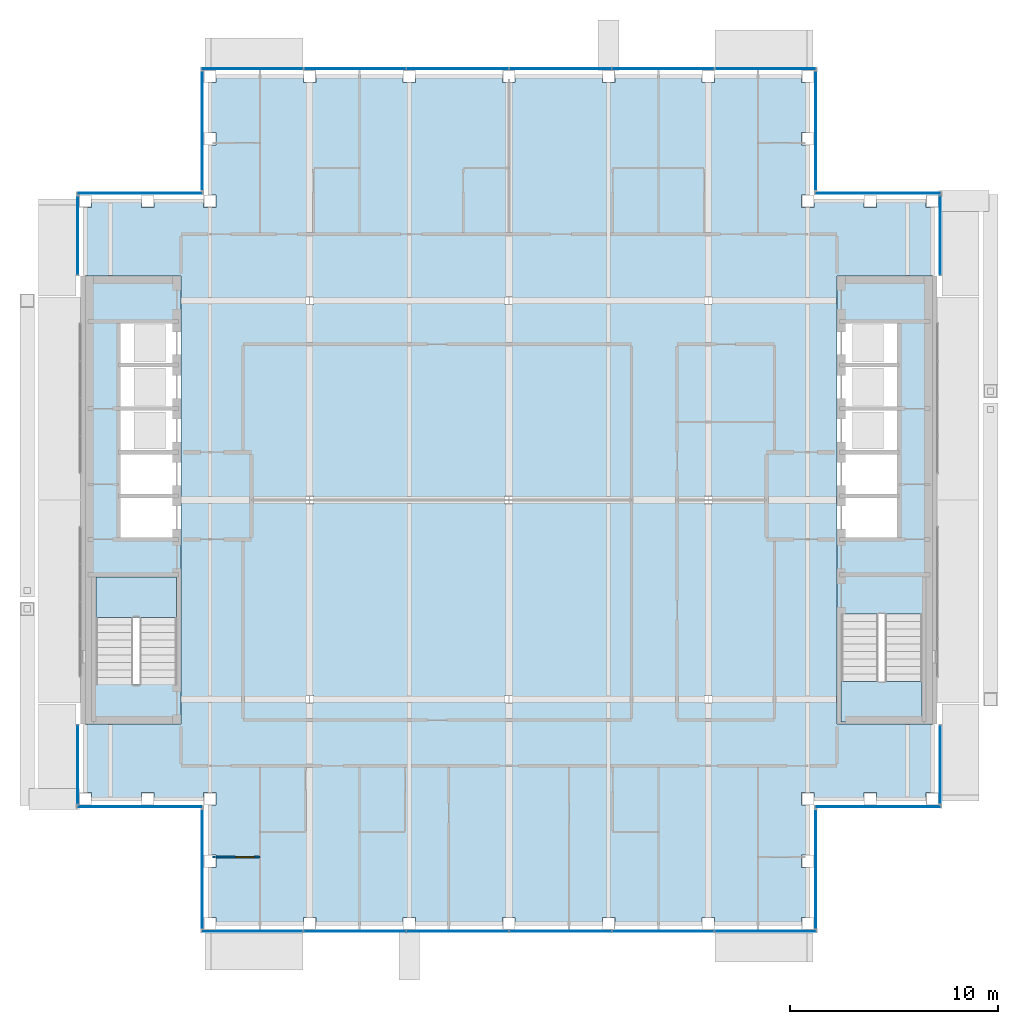
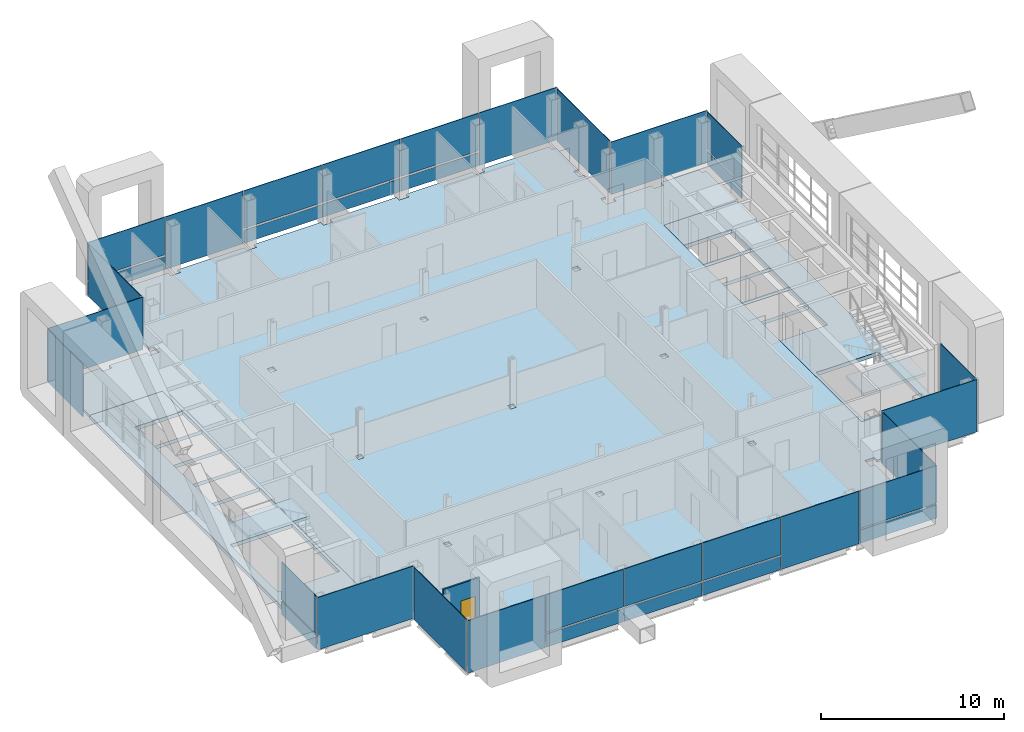
# One storey, part 11 of 23: 34 plates, 5 slabs, 1 door, 1 wall, 1 opening, 16 elements without a shape of their own.
"""IFC4 building model written with IfcOpenShell, lengths in metres."""

from ifc_helpers import new_model, si_unit, direction, frame, frame_2d, origin, origin_2d, place, context, subcontext, project, spatial, polyline, rectangle, outline, extrude, material, layer, layer_set, type_object, element, fill, aggregate, save


model = new_model("IFC4")

# Units and contexts
model_context = context("Model", 3, precision=1e-05, world=origin(), true_north=direction((0.0, 1.0)))
body_context = subcontext(model_context, "Body", "Model", "MODEL_VIEW")
ifc_project = project(units=[si_unit("LENGTHUNIT", "METRE"), si_unit("AREAUNIT", "SQUARE_METRE"), si_unit("VOLUMEUNIT", "CUBIC_METRE"), si_unit("PLANEANGLEUNIT", "RADIAN"), si_unit("MASSUNIT", "GRAM", prefix="KILO")], contexts=[model_context])

# Site, building, storey
site_placement = place(None, origin())
site = spatial("IfcSite", under=ifc_project, at=site_placement, CompositionType="ELEMENT")
building_placement = place(site_placement, origin())
building = spatial("IfcBuilding", under=site, at=building_placement, Name="Cobrizo Arcos Hotel Tower", CompositionType="ELEMENT")
storey_placement = place(building_placement, frame((0.0, 0.0, 262.0)))
storey = spatial("IfcBuildingStorey", under=building, at=storey_placement, Name="L69", CompositionType="ELEMENT", Elevation=262.0)

# Curtain wall, plates
ifc_material_1 = material(Name="Aluminium 6063-T6 anodised bronze", Category="aluminium")
curtain_wall_type = type_object("IfcCurtainWallType", Name="CW-A guest facade", PredefinedType="NOTDEFINED", material=ifc_material_1)
curtain_wall_1_placement = place(storey_placement, origin())
curtain_wall_1 = element("IfcCurtainWall", 1, at=curtain_wall_1_placement, inside=storey, type_object=curtain_wall_type, Name="CW-A L69 S face", PredefinedType="NOTDEFINED")
ifc_material_2 = material(Name="Glass clear laminated low-e", Category="glass")
ifc_layer_1 = layer(ifc_material_2, 0.0400390625)
ifc_layer_set_1 = layer_set([ifc_layer_1], Name="CW-A glass panel")
plate_type_1 = type_object("IfcPlateType", Name="CW-A glass panel", PredefinedType="CURTAIN_PANEL", material=ifc_layer_set_1)
plate_1_placement = place(storey_placement, frame((-7.425048828125, -20.77490234375, 0.990234375), z_axis=(0.0, 0.0, 1.0), x_axis=(1.0, 0.0, 0.0)))
plate_1 = element("IfcPlate", 2, at=plate_1_placement, type_object=plate_type_1, Name="CW-A glass panel 2157", PredefinedType="CURTAIN_PANEL", context=body_context, shape_type="SweptSolid", body=[
    extrude(rectangle(XDim=4.889892578125, YDim=0.0400390625, at=origin_2d()), origin(), (0.0, 0.0, 1.0), 2.510009765625),
])
plate_2_placement = place(storey_placement, frame((-2.47509765625, -20.77490234375, 0.990234375), z_axis=(0.0, 0.0, 1.0), x_axis=(1.0, 0.0, 0.0)))
plate_2 = element("IfcPlate", 3, at=plate_2_placement, type_object=plate_type_1, Name="CW-A glass panel 2158", PredefinedType="CURTAIN_PANEL", context=body_context, shape_type="SweptSolid", body=[
    extrude(rectangle(XDim=4.889892578125, YDim=0.0400390625, at=origin_2d()), origin(), (0.0, 0.0, 1.0), 2.510009765625),
])
plate_3_placement = place(storey_placement, frame((2.47509765625, -20.77490234375, 0.990234375), z_axis=(0.0, 0.0, 1.0), x_axis=(1.0, 0.0, 0.0)))
plate_3 = element("IfcPlate", 4, at=plate_3_placement, type_object=plate_type_1, Name="CW-A glass panel 2159", PredefinedType="CURTAIN_PANEL", context=body_context, shape_type="SweptSolid", body=[
    extrude(rectangle(XDim=4.889892578125, YDim=0.0400390625, at=origin_2d()), origin(), (0.0, 0.0, 1.0), 2.510009765625),
])
plate_4_placement = place(storey_placement, frame((12.360107421875, -20.77490234375, 0.990234375), z_axis=(0.0, 0.0, 1.0), x_axis=(1.0, 0.0, 0.0)))
plate_4 = element("IfcPlate", 5, at=plate_4_placement, type_object=plate_type_1, Name="CW-A glass panel 2161", PredefinedType="CURTAIN_PANEL", context=body_context, shape_type="SweptSolid", body=[
    extrude(rectangle(XDim=4.860107421875, YDim=0.0400390625, at=origin_2d()), origin(), (0.0, 0.0, 1.0), 2.510009765625),
])

# Curtain wall, plate
curtain_wall_2_placement = place(storey_placement, origin())
curtain_wall_2 = element("IfcCurtainWall", 6, at=curtain_wall_2_placement, inside=storey, type_object=curtain_wall_type, Name="CW-A L69 E face", PredefinedType="NOTDEFINED")
plate_5_placement = place(storey_placement, frame((20.77490234375, 12.75, 0.990234375), z_axis=(0.0, 0.0, 1.0), x_axis=(0.0, 1.0, 0.0)))
plate_5 = element("IfcPlate", 7, at=plate_5_placement, type_object=plate_type_1, Name="CW-A glass panel 2165", PredefinedType="CURTAIN_PANEL", context=body_context, shape_type="SweptSolid", body=[
    extrude(rectangle(XDim=3.780029296875, YDim=0.0400390625, at=origin_2d()), origin(), (0.0, 0.0, 1.0), 2.510009765625),
])

# Curtain wall, plates
curtain_wall_3_placement = place(storey_placement, origin())
curtain_wall_3 = element("IfcCurtainWall", 8, at=curtain_wall_3_placement, inside=storey, type_object=curtain_wall_type, Name="CW-A L69 N face", PredefinedType="NOTDEFINED")
plate_6_placement = place(storey_placement, frame((7.425048828125, 20.77490234375, 0.990234375), z_axis=(0.0, 0.0, 1.0), x_axis=(-1.0, 0.0, 0.0)))
plate_6 = element("IfcPlate", 9, at=plate_6_placement, type_object=plate_type_1, Name="CW-A glass panel 2169", PredefinedType="CURTAIN_PANEL", context=body_context, shape_type="SweptSolid", body=[
    extrude(rectangle(XDim=4.889892578125, YDim=0.0400390625, at=origin_2d()), origin(), (0.0, 0.0, 1.0), 2.510009765625),
])
plate_7_placement = place(storey_placement, frame((2.47509765625, 20.77490234375, 0.990234375), z_axis=(0.0, 0.0, 1.0), x_axis=(-1.0, 0.0, 0.0)))
plate_7 = element("IfcPlate", 10, at=plate_7_placement, type_object=plate_type_1, Name="CW-A glass panel 2170", PredefinedType="CURTAIN_PANEL", context=body_context, shape_type="SweptSolid", body=[
    extrude(rectangle(XDim=4.889892578125, YDim=0.0400390625, at=origin_2d()), origin(), (0.0, 0.0, 1.0), 2.510009765625),
])
plate_8_placement = place(storey_placement, frame((-2.47509765625, 20.77490234375, 0.990234375), z_axis=(0.0, 0.0, 1.0), x_axis=(-1.0, 0.0, 0.0)))
plate_8 = element("IfcPlate", 11, at=plate_8_placement, type_object=plate_type_1, Name="CW-A glass panel 2171", PredefinedType="CURTAIN_PANEL", context=body_context, shape_type="SweptSolid", body=[
    extrude(rectangle(XDim=4.889892578125, YDim=0.0400390625, at=origin_2d()), origin(), (0.0, 0.0, 1.0), 2.510009765625),
])
plate_9_placement = place(storey_placement, frame((-12.360107421875, 20.77490234375, 0.990234375), z_axis=(0.0, 0.0, 1.0), x_axis=(-1.0, 0.0, 0.0)))
plate_9 = element("IfcPlate", 12, at=plate_9_placement, type_object=plate_type_1, Name="CW-A glass panel 2173", PredefinedType="CURTAIN_PANEL", context=body_context, shape_type="SweptSolid", body=[
    extrude(rectangle(XDim=4.860107421875, YDim=0.0400390625, at=origin_2d()), origin(), (0.0, 0.0, 1.0), 2.510009765625),
])

# Curtain wall, plate
curtain_wall_4_placement = place(storey_placement, origin())
curtain_wall_4 = element("IfcCurtainWall", 13, at=curtain_wall_4_placement, inside=storey, type_object=curtain_wall_type, Name="CW-A L69 W face", PredefinedType="NOTDEFINED")
plate_10_placement = place(storey_placement, frame((-20.77490234375, -12.75, 0.990234375), z_axis=(0.0, 0.0, 1.0), x_axis=(0.0, -1.0, 0.0)))
plate_10 = element("IfcPlate", 14, at=plate_10_placement, type_object=plate_type_1, Name="CW-A glass panel 2177", PredefinedType="CURTAIN_PANEL", context=body_context, shape_type="SweptSolid", body=[
    extrude(rectangle(XDim=3.780029296875, YDim=0.0400390625, at=origin_2d()), origin(), (0.0, 0.0, 1.0), 2.510009765625),
])

# Plate
ifc_material_3 = material(Name="Aluminium composite panel pale metal", Category="aluminium")
ifc_layer_2 = layer(ifc_material_3, 0.0400390625)
ifc_layer_set_2 = layer_set([ifc_layer_2], Name="CW-A spandrel panel")
plate_type_2 = type_object("IfcPlateType", Name="CW-A spandrel panel", PredefinedType="CURTAIN_PANEL", material=ifc_layer_set_2)
plate_11_placement = place(storey_placement, frame((-12.360107421875, -20.77490234375, 0.0), z_axis=(0.0, 0.0, 1.0), x_axis=(1.0, 0.0, 0.0)))
plate_11 = element("IfcPlate", 15, at=plate_11_placement, type_object=plate_type_2, Name="CW-A spandrel panel 2156", PredefinedType="CURTAIN_PANEL", context=body_context, shape_type="SweptSolid", body=[
    extrude(rectangle(XDim=4.860107421875, YDim=0.0400390625, at=origin_2d()), origin(), (0.0, 0.0, 1.0), 3.5),
])

plate_12_placement = place(storey_placement, frame((-7.425048828125, -20.77490234375, 0.0), z_axis=(0.0, 0.0, 1.0), x_axis=(1.0, 0.0, 0.0)))
plate_12 = element("IfcPlate", 16, at=plate_12_placement, type_object=plate_type_2, Name="CW-A spandrel panel 2157", PredefinedType="CURTAIN_PANEL", context=body_context, shape_type="SweptSolid", body=[
    extrude(rectangle(XDim=4.889892578125, YDim=0.0400390625, at=origin_2d()), origin(), (0.0, 0.0, 1.0), 0.8701171875),
])

plate_13_placement = place(storey_placement, frame((-2.47509765625, -20.77490234375, 0.0), z_axis=(0.0, 0.0, 1.0), x_axis=(1.0, 0.0, 0.0)))
plate_13 = element("IfcPlate", 17, at=plate_13_placement, type_object=plate_type_2, Name="CW-A spandrel panel 2158", PredefinedType="CURTAIN_PANEL", context=body_context, shape_type="SweptSolid", body=[
    extrude(rectangle(XDim=4.889892578125, YDim=0.0400390625, at=origin_2d()), origin(), (0.0, 0.0, 1.0), 0.8701171875),
])

plate_14_placement = place(storey_placement, frame((2.47509765625, -20.77490234375, 0.0), z_axis=(0.0, 0.0, 1.0), x_axis=(1.0, 0.0, 0.0)))
plate_14 = element("IfcPlate", 18, at=plate_14_placement, type_object=plate_type_2, Name="CW-A spandrel panel 2159", PredefinedType="CURTAIN_PANEL", context=body_context, shape_type="SweptSolid", body=[
    extrude(rectangle(XDim=4.889892578125, YDim=0.0400390625, at=origin_2d()), origin(), (0.0, 0.0, 1.0), 0.8701171875),
])

plate_15_placement = place(storey_placement, frame((7.425048828125, -20.77490234375, 0.0), z_axis=(0.0, 0.0, 1.0), x_axis=(1.0, 0.0, 0.0)))
plate_15 = element("IfcPlate", 19, at=plate_15_placement, type_object=plate_type_2, Name="CW-A spandrel panel 2160", PredefinedType="CURTAIN_PANEL", context=body_context, shape_type="SweptSolid", body=[
    extrude(rectangle(XDim=4.889892578125, YDim=0.0400390625, at=origin_2d()), origin(), (0.0, 0.0, 1.0), 3.5),
])

plate_16_placement = place(storey_placement, frame((12.360107421875, -20.77490234375, 0.0), z_axis=(0.0, 0.0, 1.0), x_axis=(1.0, 0.0, 0.0)))
plate_16 = element("IfcPlate", 20, at=plate_16_placement, type_object=plate_type_2, Name="CW-A spandrel panel 2161", PredefinedType="CURTAIN_PANEL", context=body_context, shape_type="SweptSolid", body=[
    extrude(rectangle(XDim=4.860107421875, YDim=0.0400390625, at=origin_2d()), origin(), (0.0, 0.0, 1.0), 0.8701171875),
])

aggregate(curtain_wall_1, [plate_11, plate_12, plate_1, plate_13, plate_2, plate_14, plate_3, plate_15, plate_16, plate_4])

# Curtain wall, plate
curtain_wall_5_placement = place(storey_placement, origin())
curtain_wall_5 = element("IfcCurtainWall", 21, at=curtain_wall_5_placement, inside=storey, type_object=curtain_wall_type, Name="CW-A L69 E face", PredefinedType="NOTDEFINED")
plate_17_placement = place(storey_placement, frame((14.77490234375, -17.77490234375, 0.0), z_axis=(0.0, 0.0, 1.0), x_axis=(0.0, 1.0, 0.0)))
plate_17 = element("IfcPlate", 22, at=plate_17_placement, type_object=plate_type_2, Name="CW-A spandrel panel 2162", PredefinedType="CURTAIN_PANEL", context=body_context, shape_type="SweptSolid", body=[
    extrude(rectangle(XDim=5.72998046875, YDim=0.0400390625, at=origin_2d()), origin(), (0.0, 0.0, 1.0), 3.5),
])
aggregate(curtain_wall_5, [plate_17])

curtain_wall_6_placement = place(storey_placement, origin())
curtain_wall_6 = element("IfcCurtainWall", 23, at=curtain_wall_6_placement, inside=storey, type_object=curtain_wall_type, Name="CW-A L69 S face", PredefinedType="NOTDEFINED")
plate_18_placement = place(storey_placement, frame((17.77490234375, -14.77490234375, 0.0), z_axis=(0.0, 0.0, 1.0), x_axis=(1.0, 0.0, 0.0)))
plate_18 = element("IfcPlate", 24, at=plate_18_placement, type_object=plate_type_2, Name="CW-A spandrel panel 2163", PredefinedType="CURTAIN_PANEL", context=body_context, shape_type="SweptSolid", body=[
    extrude(rectangle(XDim=6.030029296875, YDim=0.0400390625, at=origin_2d()), origin(), (0.0, 0.0, 1.0), 3.5),
])
aggregate(curtain_wall_6, [plate_18])

curtain_wall_7_placement = place(storey_placement, origin())
curtain_wall_7 = element("IfcCurtainWall", 25, at=curtain_wall_7_placement, inside=storey, type_object=curtain_wall_type, Name="CW-A L69 E face", PredefinedType="NOTDEFINED")
plate_19_placement = place(storey_placement, frame((20.77490234375, -12.75, 0.0), z_axis=(0.0, 0.0, 1.0), x_axis=(0.0, 1.0, 0.0)))
plate_19 = element("IfcPlate", 26, at=plate_19_placement, type_object=plate_type_2, Name="CW-A spandrel panel 2164", PredefinedType="CURTAIN_PANEL", context=body_context, shape_type="SweptSolid", body=[
    extrude(rectangle(XDim=3.780029296875, YDim=0.0400390625, at=origin_2d()), origin(), (0.0, 0.0, 1.0), 3.5),
])
aggregate(curtain_wall_7, [plate_19])

# Plate
plate_20_placement = place(storey_placement, frame((20.77490234375, 12.75, 0.0), z_axis=(0.0, 0.0, 1.0), x_axis=(0.0, 1.0, 0.0)))
plate_20 = element("IfcPlate", 27, at=plate_20_placement, type_object=plate_type_2, Name="CW-A spandrel panel 2165", PredefinedType="CURTAIN_PANEL", context=body_context, shape_type="SweptSolid", body=[
    extrude(rectangle(XDim=3.780029296875, YDim=0.0400390625, at=origin_2d()), origin(), (0.0, 0.0, 1.0), 0.8701171875),
])

aggregate(curtain_wall_2, [plate_20, plate_5])

# Curtain wall, plate
curtain_wall_8_placement = place(storey_placement, origin())
curtain_wall_8 = element("IfcCurtainWall", 28, at=curtain_wall_8_placement, inside=storey, type_object=curtain_wall_type, Name="CW-A L69 N face", PredefinedType="NOTDEFINED")
plate_21_placement = place(storey_placement, frame((17.77490234375, 14.77490234375, 0.0), z_axis=(0.0, 0.0, 1.0), x_axis=(-1.0, 0.0, 0.0)))
plate_21 = element("IfcPlate", 29, at=plate_21_placement, type_object=plate_type_2, Name="CW-A spandrel panel 2166", PredefinedType="CURTAIN_PANEL", context=body_context, shape_type="SweptSolid", body=[
    extrude(rectangle(XDim=6.030029296875, YDim=0.0400390625, at=origin_2d()), origin(), (0.0, 0.0, 1.0), 3.5),
])
aggregate(curtain_wall_8, [plate_21])

curtain_wall_9_placement = place(storey_placement, origin())
curtain_wall_9 = element("IfcCurtainWall", 30, at=curtain_wall_9_placement, inside=storey, type_object=curtain_wall_type, Name="CW-A L69 E face", PredefinedType="NOTDEFINED")
plate_22_placement = place(storey_placement, frame((14.77490234375, 17.77490234375, 0.0), z_axis=(0.0, 0.0, 1.0), x_axis=(0.0, 1.0, 0.0)))
plate_22 = element("IfcPlate", 31, at=plate_22_placement, type_object=plate_type_2, Name="CW-A spandrel panel 2167", PredefinedType="CURTAIN_PANEL", context=body_context, shape_type="SweptSolid", body=[
    extrude(rectangle(XDim=5.72998046875, YDim=0.0400390625, at=origin_2d()), origin(), (0.0, 0.0, 1.0), 3.5),
])
aggregate(curtain_wall_9, [plate_22])

# Plate
plate_23_placement = place(storey_placement, frame((12.360107421875, 20.77490234375, 0.0), z_axis=(0.0, 0.0, 1.0), x_axis=(-1.0, 0.0, 0.0)))
plate_23 = element("IfcPlate", 32, at=plate_23_placement, type_object=plate_type_2, Name="CW-A spandrel panel 2168", PredefinedType="CURTAIN_PANEL", context=body_context, shape_type="SweptSolid", body=[
    extrude(rectangle(XDim=4.860107421875, YDim=0.0400390625, at=origin_2d()), origin(), (0.0, 0.0, 1.0), 3.5),
])

plate_24_placement = place(storey_placement, frame((7.425048828125, 20.77490234375, 0.0), z_axis=(0.0, 0.0, 1.0), x_axis=(-1.0, 0.0, 0.0)))
plate_24 = element("IfcPlate", 33, at=plate_24_placement, type_object=plate_type_2, Name="CW-A spandrel panel 2169", PredefinedType="CURTAIN_PANEL", context=body_context, shape_type="SweptSolid", body=[
    extrude(rectangle(XDim=4.889892578125, YDim=0.0400390625, at=origin_2d()), origin(), (0.0, 0.0, 1.0), 0.8701171875),
])

plate_25_placement = place(storey_placement, frame((2.47509765625, 20.77490234375, 0.0), z_axis=(0.0, 0.0, 1.0), x_axis=(-1.0, 0.0, 0.0)))
plate_25 = element("IfcPlate", 34, at=plate_25_placement, type_object=plate_type_2, Name="CW-A spandrel panel 2170", PredefinedType="CURTAIN_PANEL", context=body_context, shape_type="SweptSolid", body=[
    extrude(rectangle(XDim=4.889892578125, YDim=0.0400390625, at=origin_2d()), origin(), (0.0, 0.0, 1.0), 0.8701171875),
])

plate_26_placement = place(storey_placement, frame((-2.47509765625, 20.77490234375, 0.0), z_axis=(0.0, 0.0, 1.0), x_axis=(-1.0, 0.0, 0.0)))
plate_26 = element("IfcPlate", 35, at=plate_26_placement, type_object=plate_type_2, Name="CW-A spandrel panel 2171", PredefinedType="CURTAIN_PANEL", context=body_context, shape_type="SweptSolid", body=[
    extrude(rectangle(XDim=4.889892578125, YDim=0.0400390625, at=origin_2d()), origin(), (0.0, 0.0, 1.0), 0.8701171875),
])

plate_27_placement = place(storey_placement, frame((-7.425048828125, 20.77490234375, 0.0), z_axis=(0.0, 0.0, 1.0), x_axis=(-1.0, 0.0, 0.0)))
plate_27 = element("IfcPlate", 36, at=plate_27_placement, type_object=plate_type_2, Name="CW-A spandrel panel 2172", PredefinedType="CURTAIN_PANEL", context=body_context, shape_type="SweptSolid", body=[
    extrude(rectangle(XDim=4.889892578125, YDim=0.0400390625, at=origin_2d()), origin(), (0.0, 0.0, 1.0), 3.5),
])

plate_28_placement = place(storey_placement, frame((-12.360107421875, 20.77490234375, 0.0), z_axis=(0.0, 0.0, 1.0), x_axis=(-1.0, 0.0, 0.0)))
plate_28 = element("IfcPlate", 37, at=plate_28_placement, type_object=plate_type_2, Name="CW-A spandrel panel 2173", PredefinedType="CURTAIN_PANEL", context=body_context, shape_type="SweptSolid", body=[
    extrude(rectangle(XDim=4.860107421875, YDim=0.0400390625, at=origin_2d()), origin(), (0.0, 0.0, 1.0), 0.8701171875),
])

aggregate(curtain_wall_3, [plate_23, plate_24, plate_6, plate_25, plate_7, plate_26, plate_8, plate_27, plate_28, plate_9])

# Curtain wall, plate
curtain_wall_10_placement = place(storey_placement, origin())
curtain_wall_10 = element("IfcCurtainWall", 38, at=curtain_wall_10_placement, inside=storey, type_object=curtain_wall_type, Name="CW-A L69 W face", PredefinedType="NOTDEFINED")
plate_29_placement = place(storey_placement, frame((-14.77490234375, 17.77490234375, 0.0), z_axis=(0.0, 0.0, 1.0), x_axis=(0.0, -1.0, 0.0)))
plate_29 = element("IfcPlate", 39, at=plate_29_placement, type_object=plate_type_2, Name="CW-A spandrel panel 2174", PredefinedType="CURTAIN_PANEL", context=body_context, shape_type="SweptSolid", body=[
    extrude(rectangle(XDim=5.72998046875, YDim=0.0400390625, at=origin_2d()), origin(), (0.0, 0.0, 1.0), 3.5),
])
aggregate(curtain_wall_10, [plate_29])

curtain_wall_11_placement = place(storey_placement, origin())
curtain_wall_11 = element("IfcCurtainWall", 40, at=curtain_wall_11_placement, inside=storey, type_object=curtain_wall_type, Name="CW-A L69 N face", PredefinedType="NOTDEFINED")
plate_30_placement = place(storey_placement, frame((-17.77490234375, 14.77490234375, 0.0), z_axis=(0.0, 0.0, 1.0), x_axis=(-1.0, 0.0, 0.0)))
plate_30 = element("IfcPlate", 41, at=plate_30_placement, type_object=plate_type_2, Name="CW-A spandrel panel 2175", PredefinedType="CURTAIN_PANEL", context=body_context, shape_type="SweptSolid", body=[
    extrude(rectangle(XDim=6.030029296875, YDim=0.0400390625, at=origin_2d()), origin(), (0.0, 0.0, 1.0), 3.5),
])
aggregate(curtain_wall_11, [plate_30])

curtain_wall_12_placement = place(storey_placement, origin())
curtain_wall_12 = element("IfcCurtainWall", 42, at=curtain_wall_12_placement, inside=storey, type_object=curtain_wall_type, Name="CW-A L69 W face", PredefinedType="NOTDEFINED")
plate_31_placement = place(storey_placement, frame((-20.77490234375, 12.75, 0.0), z_axis=(0.0, 0.0, 1.0), x_axis=(0.0, -1.0, 0.0)))
plate_31 = element("IfcPlate", 43, at=plate_31_placement, type_object=plate_type_2, Name="CW-A spandrel panel 2176", PredefinedType="CURTAIN_PANEL", context=body_context, shape_type="SweptSolid", body=[
    extrude(rectangle(XDim=3.780029296875, YDim=0.0400390625, at=origin_2d()), origin(), (0.0, 0.0, 1.0), 3.5),
])
aggregate(curtain_wall_12, [plate_31])

# Plate
plate_32_placement = place(storey_placement, frame((-20.77490234375, -12.75, 0.0), z_axis=(0.0, 0.0, 1.0), x_axis=(0.0, -1.0, 0.0)))
plate_32 = element("IfcPlate", 44, at=plate_32_placement, type_object=plate_type_2, Name="CW-A spandrel panel 2177", PredefinedType="CURTAIN_PANEL", context=body_context, shape_type="SweptSolid", body=[
    extrude(rectangle(XDim=3.780029296875, YDim=0.0400390625, at=origin_2d()), origin(), (0.0, 0.0, 1.0), 0.8701171875),
])

aggregate(curtain_wall_4, [plate_32, plate_10])

# Curtain wall, plate
curtain_wall_13_placement = place(storey_placement, origin())
curtain_wall_13 = element("IfcCurtainWall", 45, at=curtain_wall_13_placement, inside=storey, type_object=curtain_wall_type, Name="CW-A L69 S face", PredefinedType="NOTDEFINED")
plate_33_placement = place(storey_placement, frame((-17.77490234375, -14.77490234375, 0.0), z_axis=(0.0, 0.0, 1.0), x_axis=(1.0, 0.0, 0.0)))
plate_33 = element("IfcPlate", 46, at=plate_33_placement, type_object=plate_type_2, Name="CW-A spandrel panel 2178", PredefinedType="CURTAIN_PANEL", context=body_context, shape_type="SweptSolid", body=[
    extrude(rectangle(XDim=6.030029296875, YDim=0.0400390625, at=origin_2d()), origin(), (0.0, 0.0, 1.0), 3.5),
])
aggregate(curtain_wall_13, [plate_33])

curtain_wall_14_placement = place(storey_placement, origin())
curtain_wall_14 = element("IfcCurtainWall", 47, at=curtain_wall_14_placement, inside=storey, type_object=curtain_wall_type, Name="CW-A L69 W face", PredefinedType="NOTDEFINED")
plate_34_placement = place(storey_placement, frame((-14.77490234375, -17.77490234375, 0.0), z_axis=(0.0, 0.0, 1.0), x_axis=(0.0, -1.0, 0.0)))
plate_34 = element("IfcPlate", 48, at=plate_34_placement, type_object=plate_type_2, Name="CW-A spandrel panel 2179", PredefinedType="CURTAIN_PANEL", context=body_context, shape_type="SweptSolid", body=[
    extrude(rectangle(XDim=5.72998046875, YDim=0.0400390625, at=origin_2d()), origin(), (0.0, 0.0, 1.0), 3.5),
])
aggregate(curtain_wall_14, [plate_34])

# Slabs
ifc_material_4 = material(Name="Concrete f'c 35 MPa", Category="concrete")
ifc_layer_3 = layer(ifc_material_4, 0.14990234375)
ifc_layer_set_3 = layer_set([ifc_layer_3], Name="Composite floor slab 150 f'c 35")
slab_type_1 = type_object("IfcSlabType", Name="Composite floor slab 150 f'c 35", PredefinedType="FLOOR", material=ifc_layer_set_3)
slab_1_placement = place(storey_placement, frame((0.0, 0.0, -0.14990234375)))
element("IfcSlab", 49, at=slab_1_placement, inside=storey, type_object=slab_type_1, Name="Floor slab S5, L69, no. 01", PredefinedType="FLOOR", context=body_context, shape_type="SweptSolid", body=[
    extrude(outline(polyline([(-14.10009765625, -20.39990234375), (-14.10009765625, -20.10009765625), (-14.39990234375, -20.10009765625), (-14.39990234375, -17.699951171875), (-14.10009765625, -17.699951171875), (-14.10009765625, -17.10009765625), (-14.39990234375, -17.10009765625), (-14.39990234375, -14.699951171875), (-14.10009765625, -14.699951171875), (-14.10009765625, -14.10009765625), (-14.699951171875, -14.10009765625), (-14.699951171875, -14.39990234375), (-17.10009765625, -14.39990234375), (-17.10009765625, -14.10009765625), (-17.699951171875, -14.10009765625), (-17.699951171875, -14.39990234375), (-20.10009765625, -14.39990234375), (-20.10009765625, -14.10009765625), (-20.39990234375, -14.10009765625), (-20.39990234375, -10.800048828125), (-15.800048828125, -10.800048828125), (-15.800048828125, 10.800048828125), (-20.39990234375, 10.800048828125), (-20.39990234375, 14.10009765625), (-20.10009765625, 14.10009765625), (-20.10009765625, 14.39990234375), (-17.699951171875, 14.39990234375), (-17.699951171875, 14.10009765625), (-17.10009765625, 14.10009765625), (-17.10009765625, 14.39990234375), (-14.699951171875, 14.39990234375), (-14.699951171875, 14.10009765625), (-14.10009765625, 14.10009765625), (-14.10009765625, 14.699951171875), (-14.39990234375, 14.699951171875), (-14.39990234375, 17.10009765625), (-14.10009765625, 17.10009765625), (-14.10009765625, 17.699951171875), (-14.39990234375, 17.699951171875), (-14.39990234375, 20.10009765625), (-14.10009765625, 20.10009765625), (-14.10009765625, 20.39990234375), (-9.89990234375, 20.39990234375), (-9.89990234375, 20.10009765625), (-9.300048828125, 20.10009765625), (-9.300048828125, 20.39990234375), (-5.10009765625, 20.39990234375), (-5.10009765625, 20.10009765625), (-4.5, 20.10009765625), (-4.5, 20.39990234375), (-0.300048828125, 20.39990234375), (-0.300048828125, 20.10009765625), (0.300048828125, 20.10009765625), (0.300048828125, 20.39990234375), (4.5, 20.39990234375), (4.5, 20.10009765625), (5.10009765625, 20.10009765625), (5.10009765625, 20.39990234375), (9.300048828125, 20.39990234375), (9.300048828125, 20.10009765625), (9.89990234375, 20.10009765625), (9.89990234375, 20.39990234375), (14.10009765625, 20.39990234375), (14.10009765625, 20.10009765625), (14.39990234375, 20.10009765625), (14.39990234375, 17.699951171875), (14.10009765625, 17.699951171875), (14.10009765625, 17.10009765625), (14.39990234375, 17.10009765625), (14.39990234375, 14.699951171875), (14.10009765625, 14.699951171875), (14.10009765625, 14.10009765625), (14.699951171875, 14.10009765625), (14.699951171875, 14.39990234375), (17.10009765625, 14.39990234375), (17.10009765625, 14.10009765625), (17.699951171875, 14.10009765625), (17.699951171875, 14.39990234375), (20.10009765625, 14.39990234375), (20.10009765625, 14.10009765625), (20.39990234375, 14.10009765625), (20.39990234375, 10.800048828125), (15.800048828125, 10.800048828125), (15.800048828125, -10.800048828125), (20.39990234375, -10.800048828125), (20.39990234375, -14.10009765625), (20.10009765625, -14.10009765625), (20.10009765625, -14.39990234375), (17.699951171875, -14.39990234375), (17.699951171875, -14.10009765625), (17.10009765625, -14.10009765625), (17.10009765625, -14.39990234375), (14.699951171875, -14.39990234375), (14.699951171875, -14.10009765625), (14.10009765625, -14.10009765625), (14.10009765625, -14.699951171875), (14.39990234375, -14.699951171875), (14.39990234375, -17.10009765625), (14.10009765625, -17.10009765625), (14.10009765625, -17.699951171875), (14.39990234375, -17.699951171875), (14.39990234375, -20.10009765625), (14.10009765625, -20.10009765625), (14.10009765625, -20.39990234375), (9.89990234375, -20.39990234375), (9.89990234375, -20.10009765625), (9.300048828125, -20.10009765625), (9.300048828125, -20.39990234375), (5.10009765625, -20.39990234375), (5.10009765625, -20.10009765625), (4.5, -20.10009765625), (4.5, -20.39990234375), (0.300048828125, -20.39990234375), (0.300048828125, -20.10009765625), (-0.300048828125, -20.10009765625), (-0.300048828125, -20.39990234375), (-4.5, -20.39990234375), (-4.5, -20.10009765625), (-5.10009765625, -20.10009765625), (-5.10009765625, -20.39990234375), (-9.300048828125, -20.39990234375), (-9.300048828125, -20.10009765625), (-9.89990234375, -20.10009765625), (-9.89990234375, -20.39990234375), (-14.10009765625, -20.39990234375)]), holes=[polyline([(-9.415771484375, -9.7841796875), (-9.415771484375, -9.415771484375), (-9.7841796875, -9.415771484375), (-9.7841796875, -9.7841796875), (-9.415771484375, -9.7841796875)]), polyline([(-9.415771484375, -0.18408203125), (-9.415771484375, 0.18408203125), (-9.7841796875, 0.18408203125), (-9.7841796875, -0.18408203125), (-9.415771484375, -0.18408203125)]), polyline([(-9.7841796875, 9.415771484375), (-9.415771484375, 9.415771484375), (-9.415771484375, 9.7841796875), (-9.7841796875, 9.7841796875), (-9.7841796875, 9.415771484375)]), polyline([(-0.18408203125, -9.7841796875), (0.18408203125, -9.7841796875), (0.18408203125, -9.415771484375), (-0.18408203125, -9.415771484375), (-0.18408203125, -9.7841796875)]), polyline([(9.415771484375, -9.7841796875), (9.7841796875, -9.7841796875), (9.7841796875, -9.415771484375), (9.415771484375, -9.415771484375), (9.415771484375, -9.7841796875)]), polyline([(0.18408203125, -0.18408203125), (0.18408203125, 0.18408203125), (-0.18408203125, 0.18408203125), (-0.18408203125, -0.18408203125), (0.18408203125, -0.18408203125)]), polyline([(9.7841796875, -0.18408203125), (9.7841796875, 0.18408203125), (9.415771484375, 0.18408203125), (9.415771484375, -0.18408203125), (9.7841796875, -0.18408203125)]), polyline([(0.18408203125, 9.415771484375), (0.18408203125, 9.7841796875), (-0.18408203125, 9.7841796875), (-0.18408203125, 9.415771484375), (0.18408203125, 9.415771484375)]), polyline([(9.415771484375, 9.415771484375), (9.7841796875, 9.415771484375), (9.7841796875, 9.7841796875), (9.415771484375, 9.7841796875), (9.415771484375, 9.415771484375)])]), origin(), (0.0, 0.0, 1.0), 0.14990234375),
])
ifc_material_5 = material(Name="Concrete f'c 40 MPa", Category="concrete")
ifc_layer_4 = layer(ifc_material_5, 0.25)
ifc_layer_set_4 = layer_set([ifc_layer_4], Name="RC core floor slab 250 f'c 40")
slab_type_2 = type_object("IfcSlabType", Name="RC core floor slab 250 f'c 40", PredefinedType="FLOOR", material=ifc_layer_set_4)
slab_2_placement = place(storey_placement, frame((0.0, 0.0, -0.25)))
element("IfcSlab", 50, at=slab_2_placement, inside=storey, type_object=slab_type_2, Name="Core floor slab CS7, east core, L69", PredefinedType="FLOOR", context=body_context, shape_type="SweptSolid", body=[
    extrude(outline(polyline([(15.800048828125, 10.800048828125), (20.39990234375, 10.800048828125), (20.39990234375, -10.800048828125), (15.800048828125, -10.800048828125), (15.800048828125, 10.800048828125)]), holes=[polyline([(19.89794921875, -10.697998046875), (19.89794921875, -5.501953125), (16.001953125, -5.501953125), (16.001953125, -10.697998046875), (19.89794921875, -10.697998046875)]), polyline([(15.802001953125, 0.197998046875), (15.802001953125, -1.89794921875), (18.798095703125, -1.89794921875), (18.798095703125, 0.197998046875), (15.802001953125, 0.197998046875)]), polyline([(15.802001953125, 2.298095703125), (15.802001953125, 0.201904296875), (18.798095703125, 0.201904296875), (18.798095703125, 2.298095703125), (15.802001953125, 2.298095703125)]), polyline([(15.802001953125, 4.39794921875), (15.802001953125, 2.302001953125), (18.798095703125, 2.302001953125), (18.798095703125, 4.39794921875), (15.802001953125, 4.39794921875)]), polyline([(18.798095703125, 6.498046875), (15.802001953125, 6.498046875), (15.802001953125, 4.402099609375), (18.798095703125, 4.402099609375), (18.798095703125, 6.498046875)]), polyline([(18.798095703125, 8.597900390625), (15.802001953125, 8.597900390625), (15.802001953125, 6.501953125), (18.798095703125, 6.501953125), (18.798095703125, 8.597900390625)])]), origin(), (0.0, 0.0, 1.0), 0.25),
])
slab_3_placement = place(storey_placement, frame((0.0, 0.0, -0.25)))
element("IfcSlab", 51, at=slab_3_placement, inside=storey, type_object=slab_type_2, Name="Core floor slab CS7, west core, L69", PredefinedType="FLOOR", context=body_context, shape_type="SweptSolid", body=[
    extrude(outline(polyline([(-20.39990234375, 10.800048828125), (-15.800048828125, 10.800048828125), (-15.800048828125, -10.800048828125), (-20.39990234375, -10.800048828125), (-20.39990234375, 10.800048828125)]), holes=[polyline([(-19.89794921875, -3.701904296875), (-19.89794921875, -8.89794921875), (-16.001953125, -8.89794921875), (-16.001953125, -3.701904296875), (-19.89794921875, -3.701904296875)]), polyline([(-18.798095703125, 0.197998046875), (-18.798095703125, -1.89794921875), (-15.802001953125, -1.89794921875), (-15.802001953125, 0.197998046875), (-18.798095703125, 0.197998046875)]), polyline([(-18.798095703125, 2.298095703125), (-18.798095703125, 0.201904296875), (-15.802001953125, 0.201904296875), (-15.802001953125, 2.298095703125), (-18.798095703125, 2.298095703125)]), polyline([(-18.798095703125, 4.39794921875), (-18.798095703125, 2.302001953125), (-15.802001953125, 2.302001953125), (-15.802001953125, 4.39794921875), (-18.798095703125, 4.39794921875)]), polyline([(-15.802001953125, 6.498046875), (-18.798095703125, 6.498046875), (-18.798095703125, 4.402099609375), (-15.802001953125, 4.402099609375), (-15.802001953125, 6.498046875)]), polyline([(-15.802001953125, 8.597900390625), (-18.798095703125, 8.597900390625), (-18.798095703125, 6.501953125), (-15.802001953125, 6.501953125), (-15.802001953125, 8.597900390625)])]), origin(), (0.0, 0.0, 1.0), 0.25),
])

# Stair, slab
stair_type = type_object("IfcStairType", Name="Exit stair", PredefinedType="HALF_TURN_STAIR", material=ifc_material_5)
stair_1_placement = place(storey_placement, origin())
stair_1 = element("IfcStair", 52, at=stair_1_placement, inside=storey, type_object=stair_type, Name="L69 Exit stair ST-W", PredefinedType="HALF_TURN_STAIR")
ifc_layer_5 = layer(ifc_material_5, 0.199951171875)
ifc_layer_set_5 = layer_set([ifc_layer_5], Name="Stair landing")
slab_type_3 = type_object("IfcSlabType", Name="Stair landing", PredefinedType="LANDING", material=ifc_layer_set_5)
slab_4_placement = place(storey_placement, frame((0.0, 0.0, 1.550048828125)))
slab_4 = element("IfcSlab", 53, at=slab_4_placement, type_object=slab_type_3, Name="ST-W landing 1", PredefinedType="LANDING", context=body_context, shape_type="SweptSolid", body=[
    extrude(outline(polyline([(-16.0, -5.659912109375), (-16.0, -3.699951171875), (-19.89990234375, -3.699951171875), (-19.89990234375, -5.659912109375), (-16.0, -5.659912109375)])), origin(), (0.0, 0.0, 1.0), 0.199951171875),
])
aggregate(stair_1, [slab_4])

stair_2_placement = place(storey_placement, origin())
stair_2 = element("IfcStair", 54, at=stair_2_placement, inside=storey, type_object=stair_type, Name="L69 Exit stair ST-E", PredefinedType="HALF_TURN_STAIR")
slab_5_placement = place(storey_placement, frame((0.0, 0.0, 1.550048828125)))
slab_5 = element("IfcSlab", 55, at=slab_5_placement, type_object=slab_type_3, Name="ST-E landing 1", PredefinedType="LANDING", context=body_context, shape_type="SweptSolid", body=[
    extrude(outline(polyline([(16.0, -8.739990234375), (16.0, -10.699951171875), (19.89990234375, -10.699951171875), (19.89990234375, -8.739990234375), (16.0, -8.739990234375)])), origin(), (0.0, 0.0, 1.0), 0.199951171875),
])
aggregate(stair_2, [slab_5])

# Wall, opening, door
ifc_material_6 = material(Name="Gypsum board partition")
ifc_layer_6 = layer(ifc_material_6, 0.10009765625)
ifc_layer_set_6 = layer_set([ifc_layer_6], Name="Partition EI 30 100")
wall_type = type_object("IfcWallType", Name="Partition EI 30 100", PredefinedType="PARTITIONING", material=ifc_layer_set_6)
wall_placement = place(storey_placement, frame((-14.280029296875, -17.199951171875, 0.0), z_axis=(0.0, 0.0, 1.0), x_axis=(1.0, 0.0, 0.0)))
wall = element("IfcWall", 56, at=wall_placement, inside=storey, type_object=wall_type, Name="Partition 001", PredefinedType="PARTITIONING", context=body_context, shape_type="SweptSolid", body=[
    extrude(rectangle(XDim=2.280029296875, YDim=0.10009765625, at=frame_2d((1.14013671875, 0.0))), origin(), (0.0, 0.0, 1.0), 3.25),
])
opening_placement = place(wall_placement, frame((1.110107421875, 0.0, 0.0)))
opening = element("IfcOpeningElement", 57, at=opening_placement, cuts=wall, Name="Opening ED-08", PredefinedType="OPENING", context=body_context, shape_type="SweptSolid", body=[
    extrude(rectangle(XDim=0.89990234375, YDim=2.10009765625, at=frame_2d((0.449951171875, 1.050048828125))), frame((0.0, 0.06201171875, 0.0), z_axis=(0.0, -1.0, 0.0), x_axis=(1.0, 0.0, 0.0)), (0.0, 0.0, 1.0), 0.1240234375),
])
ifc_material_7 = material(Name="Timber door leaf", Category="wood")
door_type = type_object("IfcDoorType", Name="En-suite door 900x2100", OperationType="SINGLE_SWING_LEFT", PredefinedType="DOOR", material=ifc_material_7)
door_placement = place(opening_placement, origin())
door = element("IfcDoor", 58, at=door_placement, inside=storey, type_object=door_type, Name="Door ED-08", OperationType="SINGLE_SWING_LEFT", OverallHeight=2.10009765625, OverallWidth=0.89990234375, PredefinedType="DOOR", context=body_context, shape_type="SweptSolid", body=[
    extrude(rectangle(XDim=0.89990234375, YDim=2.10009765625, at=frame_2d((0.449951171875, 1.050048828125))), frame((0.0, 0.02490234375, 0.0), z_axis=(0.0, -1.0, 0.0), x_axis=(1.0, 0.0, 0.0)), (0.0, 0.0, 1.0), 0.050048828125),
])
fill(opening, door)

save(model, "model.ifc")
